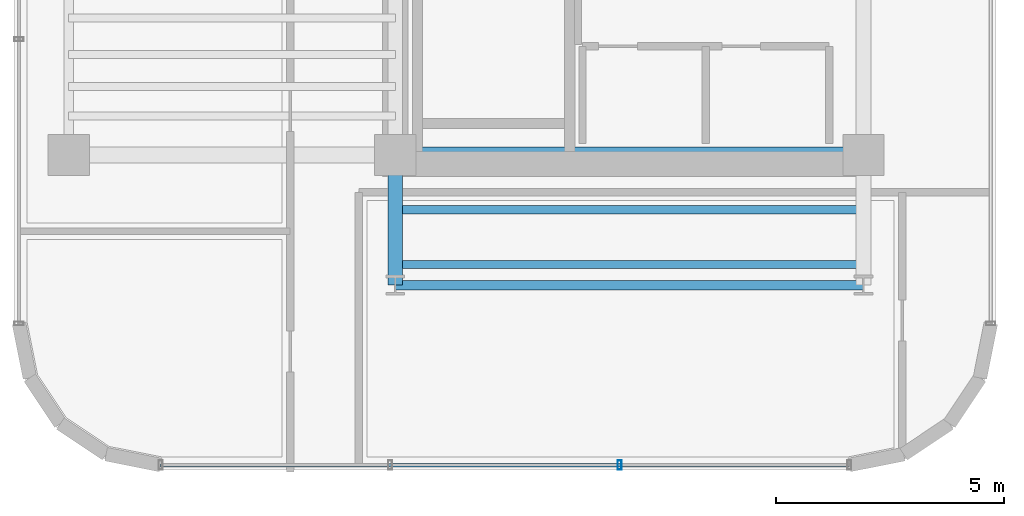
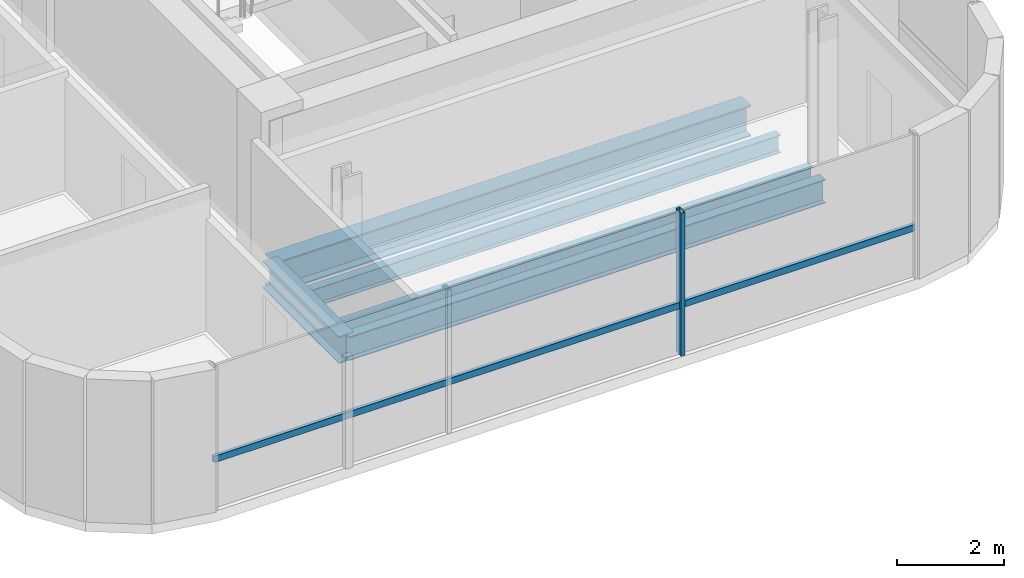
# One storey, part 3 of 21: 5 beams, 2 members, 1 element without a shape of its own.
"""IFC4 building model written with IfcOpenShell, lengths in metres."""

from ifc_helpers import new_model, si_unit, direction, frame, origin, origin_2d, place, context, subcontext, project, spatial, hollow_rectangle, i_section, extrude, source, transform, mapped, material, material_profile, profile_set, type_object, element, aggregate, save


model = new_model("IFC4")

# Units and contexts
model_context = context("Model", 3, precision=1e-05, world=origin(), true_north=direction((0.0, 1.0)))
body_context = subcontext(model_context, "Body", "Model", "MODEL_VIEW")
ifc_project = project(units=[si_unit("LENGTHUNIT", "METRE"), si_unit("AREAUNIT", "SQUARE_METRE"), si_unit("VOLUMEUNIT", "CUBIC_METRE"), si_unit("PLANEANGLEUNIT", "RADIAN"), si_unit("MASSUNIT", "GRAM", prefix="KILO")], contexts=[model_context])

# Site, building, storey
site_placement = place(None, origin())
site = spatial("IfcSite", under=ifc_project, at=site_placement, CompositionType="ELEMENT")
building_placement = place(site_placement, origin())
building = spatial("IfcBuilding", under=site, at=building_placement, Name="Valdorenza Pilgrim Sanctuary Tower", CompositionType="ELEMENT")
storey_placement = place(building_placement, frame((0.0, 0.0, 223.0)))
storey = spatial("IfcBuildingStorey", under=building, at=storey_placement, Name="L57", CompositionType="ELEMENT", Elevation=223.0)

# Beams
ifc_material_1 = material(Name="Steel ASTM A992 Grade 50", Category="steel")
ifc_material_profile_1 = material_profile(ifc_material_1, i_section(OverallWidth=0.323974609375, OverallDepth=0.611083984375, WebThickness=0.0126953125, FlangeThickness=0.01904296875, at=origin_2d()), Name="W24X104")
ifc_profile_set_1 = profile_set([ifc_material_profile_1], Name="Steel ASTM A992 Grade 50")
beam_type_1 = type_object("IfcBeamType", Name="STR-BM-GRD-W24B", PredefinedType="BEAM", material=ifc_profile_set_1)
shared_shape_1 = source(origin(), body_context, "Body", "SweptSolid", [
    extrude(i_section(OverallWidth=0.323974609375, OverallDepth=0.611083984375, WebThickness=0.0126953125, FlangeThickness=0.01904296875, at=origin_2d()), origin(), (0.0, 0.0, 1.0), 2.849853515625),
])
beam_1_placement = place(storey_placement, frame((-22.64990234375, -13.449951171875, -0.54541015625), z_axis=(0.0, 1.0, 0.0), x_axis=(-1.0, 0.0, 0.0)))
element("IfcBeam", 1, at=beam_1_placement, inside=storey, type_object=beam_type_1, Name="L57 Floor Girder WA-S-LW", PredefinedType="BEAM", context=body_context, shape_type="MappedRepresentation", body=[
    mapped(shared_shape_1, transform((0.0, 0.0, 0.0), x_axis=(1.0, 0.0, 0.0), y_axis=(0.0, 1.0, 0.0), z_axis=(0.0, 0.0, 1.0), scale=1.0)),
])
ifc_material_profile_2 = material_profile(ifc_material_1, i_section(OverallWidth=0.2109375, OverallDepth=0.5390625, WebThickness=0.01171875, FlangeThickness=0.018798828125, at=origin_2d()), Name="W21X73")
ifc_profile_set_2 = profile_set([ifc_material_profile_2], Name="Steel ASTM A992 Grade 50")
beam_type_2 = type_object("IfcBeamType", Name="STR-BM-SPN-W21B", PredefinedType="SPANDREL", material=ifc_profile_set_2)
shared_shape_2 = source(origin(), body_context, "Body", "SweptSolid", [
    extrude(i_section(OverallWidth=0.2109375, OverallDepth=0.5390625, WebThickness=0.01171875, FlangeThickness=0.018798828125, at=origin_2d()), origin(), (0.0, 0.0, 1.0), 10.25),
])
beam_2_placement = place(storey_placement, frame((-22.64990234375, -13.449951171875, -0.509521484375), z_axis=(1.0, 0.0, 0.0), x_axis=(0.0, 1.0, 0.0)))
element("IfcBeam", 2, at=beam_2_placement, inside=storey, type_object=beam_type_2, Name="L57 South Spandrel WA-S-TIE", PredefinedType="SPANDREL", context=body_context, shape_type="MappedRepresentation", body=[
    mapped(shared_shape_2, transform((0.0, 0.0, 0.0), x_axis=(1.0, 0.0, 0.0), y_axis=(0.0, 1.0, 0.0), z_axis=(0.0, 0.0, 1.0), scale=1.0)),
])
ifc_material_profile_3 = material_profile(ifc_material_1, i_section(OverallWidth=0.35595703125, OverallDepth=0.700927734375, WebThickness=0.016845703125, FlangeThickness=0.02734375, at=origin_2d()), Name="W27X161")
ifc_profile_set_3 = profile_set([ifc_material_profile_3], Name="Steel ASTM A992 Grade 50")
beam_type_3 = type_object("IfcBeamType", Name="STR-BM-GRD-W27", PredefinedType="BEAM", material=ifc_profile_set_3)
shared_shape_3 = source(origin(), body_context, "Body", "SweptSolid", [
    extrude(i_section(OverallWidth=0.35595703125, OverallDepth=0.700927734375, WebThickness=0.016845703125, FlangeThickness=0.02734375, at=origin_2d()), origin(), (0.0, 0.0, 1.0), 10.25),
])
beam_3_placement = place(storey_placement, frame((-22.64990234375, -10.60009765625, -0.590576171875), z_axis=(1.0, 0.0, 0.0), x_axis=(0.0, 1.0, 0.0)))
element("IfcBeam", 3, at=beam_3_placement, inside=storey, type_object=beam_type_3, Name="L57 Floor Girder CA-XC-S1", PredefinedType="BEAM", context=body_context, shape_type="MappedRepresentation", body=[
    mapped(shared_shape_3, transform((0.0, 0.0, 0.0), x_axis=(1.0, 0.0, 0.0), y_axis=(0.0, 1.0, 0.0), z_axis=(0.0, 0.0, 1.0), scale=1.0)),
])
ifc_material_profile_4 = material_profile(ifc_material_1, i_section(OverallWidth=0.177978515625, OverallDepth=0.406005859375, WebThickness=0.0078125, FlangeThickness=0.0126953125, at=origin_2d()), Name="W16X40")
ifc_profile_set_4 = profile_set([ifc_material_profile_4], Name="Steel ASTM A992 Grade 50")
beam_type_4 = type_object("IfcBeamType", Name="STR-BM-JST-W16", PredefinedType="JOIST", material=ifc_profile_set_4)
shared_shape_4 = source(origin(), body_context, "Body", "SweptSolid", [
    extrude(i_section(OverallWidth=0.177978515625, OverallDepth=0.406005859375, WebThickness=0.0078125, FlangeThickness=0.0126953125, at=origin_2d()), origin(), (0.0, 0.0, 1.0), 10.25),
])
for number, where, z_axis, x_axis, name in (
    (4, (-22.64990234375, -13.0, -0.443115234375), (1.0, 0.0, 0.0), (0.0, 1.0, 0.0), "L57 Composite Floor Joist JST-WAS-1"),
    (5, (-22.64990234375, -11.800048828125, -0.443115234375), (1.0, 0.0, 0.0), (0.0, 1.0, 0.0), "L57 Composite Floor Joist JST-WAS-2"),
):
    element("IfcBeam", number, at=place(storey_placement, frame(where, z_axis=z_axis, x_axis=x_axis)), inside=storey, type_object=beam_type_4, Name=name, PredefinedType="JOIST", context=body_context, shape_type="MappedRepresentation", body=[
        mapped(shared_shape_4, transform((0.0, 0.0, 0.0), x_axis=(1.0, 0.0, 0.0), y_axis=(0.0, 1.0, 0.0), z_axis=(0.0, 0.0, 1.0), scale=1.0)),
    ])

# Curtain wall, members
ifc_material_2 = material(Name="Curtain-wall IGU glazing", Category="glass")
curtain_wall_type = type_object("IfcCurtainWallType", Name="CW-SYS-02", PredefinedType="NOTDEFINED", material=ifc_material_2)
curtain_wall_placement = place(storey_placement, origin())
curtain_wall = element("IfcCurtainWall", 6, at=curtain_wall_placement, inside=storey, type_object=curtain_wall_type, Name="L57 Curtain Wall CW-L57-1-26", PredefinedType="NOTDEFINED")
ifc_material_3 = material(Name="Anodised aluminium AW-6060", Category="aluminium")
ifc_material_profile_5 = material_profile(ifc_material_3, hollow_rectangle(XDim=0.074951171875, YDim=0.14990234375, WallThickness=0.00390625, at=origin_2d()), Name="ALU-T 150x75x4")
ifc_profile_set_5 = profile_set([ifc_material_profile_5], Name="Anodised aluminium AW-6060")
member_type_1 = type_object("IfcMemberType", Name="CW-TRN-02", PredefinedType="USERDEFINED", material=ifc_profile_set_5)
shared_shape_5 = source(origin(), body_context, "Body", "SweptSolid", [
    extrude(hollow_rectangle(XDim=0.074951171875, YDim=0.14990234375, WallThickness=0.00390625, at=origin_2d()), origin(), (0.0, 0.0, 1.0), 15.07861328125),
])
member_1_placement = place(storey_placement, frame((-12.710693359375, -17.389892578125, 1.1201171875), z_axis=(-1.0, 0.0, 0.0), x_axis=(0.0, -1.0, 0.0)))
member_1 = element("IfcMember", 7, at=member_1_placement, type_object=member_type_1, Name="CW-L57-1-26 Transom 1", ObjectType="TRANSOM", PredefinedType="USERDEFINED", context=body_context, shape_type="MappedRepresentation", body=[
    mapped(shared_shape_5, transform((0.0, 0.0, 0.0), x_axis=(1.0, 0.0, 0.0), y_axis=(0.0, 1.0, 0.0), z_axis=(0.0, 0.0, 1.0), scale=1.0)),
])
ifc_material_profile_6 = material_profile(ifc_material_3, hollow_rectangle(XDim=0.0849609375, YDim=0.199951171875, WallThickness=0.0048828125, at=origin_2d()), Name="ALU-M 200x85x5")
ifc_profile_set_6 = profile_set([ifc_material_profile_6], Name="Anodised aluminium AW-6060")
member_type_2 = type_object("IfcMemberType", Name="CW-MUL-02", PredefinedType="MULLION", material=ifc_profile_set_6)
shared_shape_6 = source(origin(), body_context, "Body", "SweptSolid", [
    extrude(hollow_rectangle(XDim=0.0849609375, YDim=0.199951171875, WallThickness=0.0048828125, at=origin_2d()), origin(), (0.0, 0.0, 1.0), 3.260009765625),
])
member_2_placement = place(storey_placement, frame((-17.73681640625, -17.389892578125, 0.0), z_axis=(0.0, 0.0, 1.0), x_axis=(-1.0, 0.0, 0.0)))
member_2 = element("IfcMember", 8, at=member_2_placement, type_object=member_type_2, Name="CW-L57-1-26 Mullion 2", PredefinedType="MULLION", context=body_context, shape_type="MappedRepresentation", body=[
    mapped(shared_shape_6, transform((0.0, 0.0, 0.0), x_axis=(1.0, 0.0, 0.0), y_axis=(0.0, 1.0, 0.0), z_axis=(0.0, 0.0, 1.0), scale=1.0)),
])
aggregate(curtain_wall, [member_2, member_1])

save(model, "model.ifc")
